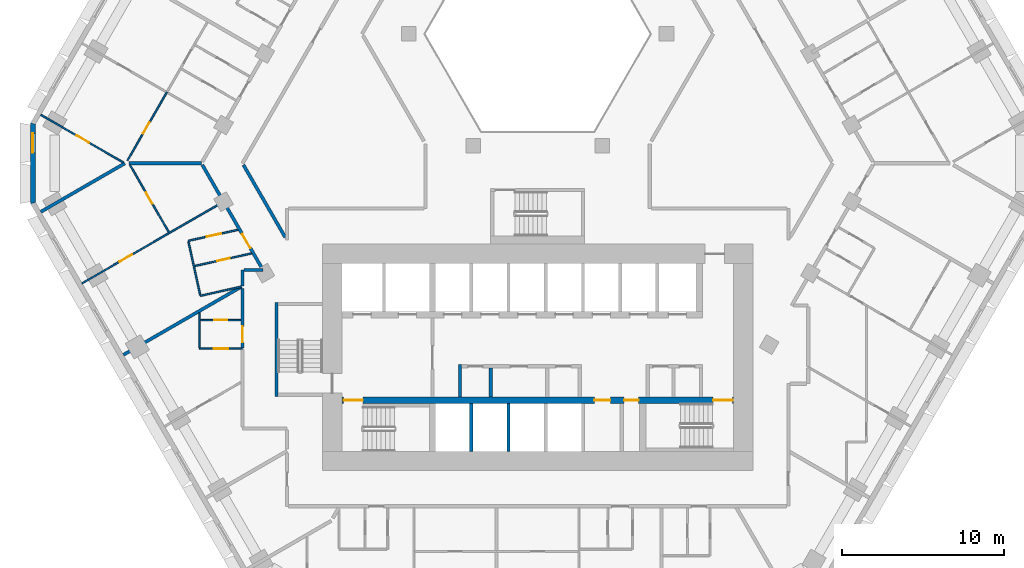
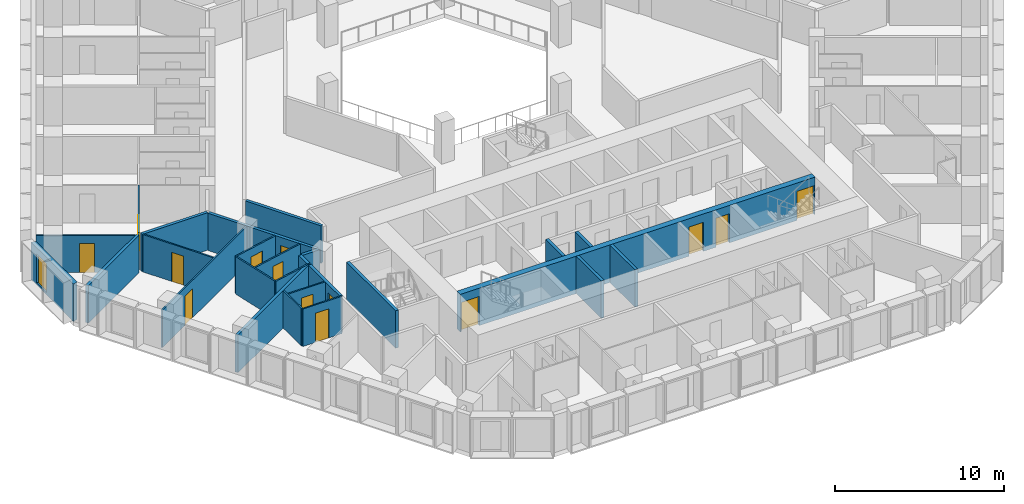
# One storey, part 4 of 16: 26 walls, 14 doors, 1 window, 15 openings.
"""IFC4 building model written with IfcOpenShell, lengths in metres."""

from ifc_helpers import new_model, si_unit, direction, frame, frame_2d, origin, place, context, subcontext, project, spatial, polyline, rectangle, outline, extrude, material, layer, layer_set, type_object, element, fill, save


model = new_model("IFC4")

# Units and contexts
model_context = context("Model", 3, precision=1e-05, world=origin(), true_north=direction((0.0, 1.0)))
body_context = subcontext(model_context, "Body", "Model", "MODEL_VIEW")
ifc_project = project(units=[si_unit("LENGTHUNIT", "METRE"), si_unit("AREAUNIT", "SQUARE_METRE"), si_unit("VOLUMEUNIT", "CUBIC_METRE"), si_unit("PLANEANGLEUNIT", "RADIAN"), si_unit("MASSUNIT", "GRAM", prefix="KILO")], contexts=[model_context])

# Site, building, storey
site_placement = place(None, origin())
site = spatial("IfcSite", under=ifc_project, at=site_placement, CompositionType="ELEMENT")
building_placement = place(site_placement, origin())
building = spatial("IfcBuilding", under=site, at=building_placement, Name="Beryl Residences", CompositionType="ELEMENT")
storey_placement = place(building_placement, frame((0.0, 0.0, 56.39990234375)))
storey = spatial("IfcBuildingStorey", under=building, at=storey_placement, Name="L17", CompositionType="ELEMENT", Elevation=56.39990234375)

# Wall, opening, window
ifc_material_1 = material(Name="Composite metal panel with mineral wool insulation")
ifc_layer_1 = layer(ifc_material_1, 0.300048828125)
ifc_layer_set_1 = layer_set([ifc_layer_1], Name="ES1 pale metal composite panel wall 300 mm")
wall_type_1 = type_object("IfcWallType", Name="ES1 pale metal composite panel wall 300 mm", PredefinedType="SOLIDWALL", material=ifc_layer_set_1)
wall_1_placement = place(storey_placement, frame((-31.199951171875, 2.5, 0.0), z_axis=(0.0, 0.0, 1.0), x_axis=(0.0, -1.0, 0.0)))
wall_1 = element("IfcWall", 1, at=wall_1_placement, inside=storey, type_object=wall_type_1, Name="ES1 external wall L17 NW-SW", PredefinedType="SOLIDWALL", context=body_context, shape_type="SweptSolid", body=[
    extrude(outline(polyline([(0.0, -0.14990234375), (5.0, -0.14990234375), (4.919677734375, 0.14990234375), (0.080322265625, 0.14990234375), (0.0, -0.14990234375)])), origin(), (0.0, 0.0, 1.0), 2.7001953125),
])
opening_1_placement = place(wall_1_placement, frame((0.64990234375, 0.0, 0.14990234375)))
opening_1 = element("IfcOpeningElement", 2, at=opening_1_placement, cuts=wall_1, Name="Opening W2", PredefinedType="OPENING", context=body_context, shape_type="SweptSolid", body=[
    extrude(rectangle(XDim=1.199951171875, YDim=2.10009765625, at=frame_2d((0.60009765625, 1.050048828125))), frame((0.0, 0.159912109375, 0.0), z_axis=(0.0, -1.0, 0.0), x_axis=(1.0, 0.0, 0.0)), (0.0, 0.0, 1.0), 0.320068359375),
])
ifc_material_2 = material(Name="Aluminium and clear glass", Category="aluminium")
window_type = type_object("IfcWindowType", Name="W2 chamfer window 1200 x 2100 mm", PartitioningType="SINGLE_PANEL", PredefinedType="WINDOW", material=ifc_material_2)
window_placement = place(opening_1_placement, origin())
window = element("IfcWindow", 3, at=window_placement, inside=storey, type_object=window_type, Name="W2 window L17 NW-SW 1", OverallHeight=2.10009765625, OverallWidth=1.199951171875, PartitioningType="SINGLE_PANEL", PredefinedType="WINDOW", context=body_context, shape_type="SweptSolid", body=[
    extrude(rectangle(XDim=1.199951171875, YDim=2.10009765625, at=frame_2d((0.60009765625, 1.050048828125))), frame((0.0, 0.030029296875, 0.0), z_axis=(0.0, -1.0, 0.0), x_axis=(1.0, 0.0, 0.0)), (0.0, 0.0, 1.0), 0.06005859375),
])
fill(opening_1, window)

# Wall, opening, door
ifc_material_3 = material(Name="Gypsum board partition on steel studs", Category="steel")
ifc_layer_2 = layer(ifc_material_3, 0.10009765625)
ifc_layer_set_2 = layer_set([ifc_layer_2], Name="PT1 partition 100 mm gypsum board on steel studs")
wall_type_2 = type_object("IfcWallType", Name="PT1 partition 100 mm gypsum board on steel studs", PredefinedType="PARTITIONING", material=ifc_layer_set_2)
wall_2_placement = place(storey_placement, frame((-25.199951171875, -0.10107421875, 0.0), z_axis=(0.0, 0.0, 1.0), x_axis=(0.500099052605, -0.865968208183, 0.0)))
wall_2 = element("IfcWall", 4, at=wall_2_placement, inside=storey, type_object=wall_type_2, Name="Wall PT1 L17 001", PredefinedType="PARTITIONING", context=body_context, shape_type="SweptSolid", body=[
    extrude(rectangle(XDim=4.80712890625, YDim=0.10009765625, at=frame_2d((2.403564453125, 0.0))), origin(), (0.0, 0.0, 1.0), 2.7001953125),
])
opening_2_placement = place(wall_2_placement, frame((1.970947265625, 0.0, 0.0)))
opening_2 = element("IfcOpeningElement", 5, at=opening_2_placement, cuts=wall_2, Name="Opening D0515", PredefinedType="OPENING", context=body_context, shape_type="SweptSolid", body=[
    extrude(rectangle(XDim=0.800048828125, YDim=2.10009765625, at=frame_2d((0.39990234375, 1.050048828125))), frame((0.0, 0.06005859375, 0.0), z_axis=(0.0, -1.0, 0.0), x_axis=(1.0, 0.0, 0.0)), (0.0, 0.0, 1.0), 0.1201171875),
])
ifc_material_4 = material(Name="Timber door leaf", Category="wood")
door_type_1 = type_object("IfcDoorType", Name="D3 bathroom door 800 x 2100 mm", OperationType="SINGLE_SWING_LEFT", PredefinedType="DOOR", material=ifc_material_4)
door_1_placement = place(opening_2_placement, origin())
door_1 = element("IfcDoor", 6, at=door_1_placement, inside=storey, type_object=door_type_1, Name="Door D0515 L17 001", OperationType="SINGLE_SWING_LEFT", OverallHeight=2.10009765625, OverallWidth=0.800048828125, PredefinedType="DOOR", context=body_context, shape_type="SweptSolid", body=[
    extrude(rectangle(XDim=0.800048828125, YDim=2.10009765625, at=frame_2d((0.39990234375, 1.050048828125))), frame((0.0, 0.02490234375, 0.0), z_axis=(0.0, -1.0, 0.0), x_axis=(1.0, 0.0, 0.0)), (0.0, 0.0, 1.0), 0.050048828125),
])
fill(opening_2, door_1)

# Walls
wall_3_placement = place(storey_placement, frame((-21.590087890625, -4.842041015625, 0.0), z_axis=(0.0, 0.0, 1.0), x_axis=(0.216524734289, -0.976277132499, 0.0)))
element("IfcWall", 7, at=wall_3_placement, inside=storey, type_object=wall_type_2, Name="Wall PT1 L17 004", PredefinedType="PARTITIONING", context=body_context, shape_type="SweptSolid", body=[
    extrude(rectangle(XDim=3.376953125, YDim=0.10009765625, at=frame_2d((1.6884765625, 0.0))), origin(), (0.0, 0.0, 1.0), 2.7001953125),
])
wall_4_placement = place(storey_placement, frame((-20.909912109375, -9.242919921875, 0.0), z_axis=(0.0, 0.0, 1.0), x_axis=(0.0, -1.0, 0.0)))
element("IfcWall", 8, at=wall_4_placement, inside=storey, type_object=wall_type_2, Name="Wall PT1 L17 009", PredefinedType="PARTITIONING", context=body_context, shape_type="SweptSolid", body=[
    extrude(rectangle(XDim=2.1630859375, YDim=0.10009765625, at=frame_2d((1.08154296875, 0.0))), origin(), (0.0, 0.0, 1.0), 2.7001953125),
])

# Wall, opening, door
wall_5_placement = place(storey_placement, frame((-30.716064453125, 2.9990234375, 0.0), z_axis=(0.0, 0.0, 1.0), x_axis=(0.866025981722, -0.499998998981, 0.0)))
wall_5 = element("IfcWall", 9, at=wall_5_placement, inside=storey, type_object=wall_type_2, Name="Wall PT1 L17 015", PredefinedType="PARTITIONING", context=body_context, shape_type="SweptSolid", body=[
    extrude(rectangle(XDim=5.88427734375, YDim=0.10009765625, at=frame_2d((2.942138671875, 0.0))), origin(), (0.0, 0.0, 1.0), 2.7001953125),
])
opening_3_placement = place(wall_5_placement, frame((2.550048828125, 0.0, 0.0)))
opening_3 = element("IfcOpeningElement", 10, at=opening_3_placement, cuts=wall_5, Name="Opening D0509", PredefinedType="OPENING", context=body_context, shape_type="SweptSolid", body=[
    extrude(rectangle(XDim=0.89990234375, YDim=2.10009765625, at=frame_2d((0.449951171875, 1.050048828125))), frame((0.0, 0.06005859375, 0.0), z_axis=(0.0, -1.0, 0.0), x_axis=(1.0, 0.0, 0.0)), (0.0, 0.0, 1.0), 0.1201171875),
])
ifc_material_5 = material(Name="Timber door leaf", Category="wood")
door_type_2 = type_object("IfcDoorType", Name="D2 room door 900 x 2100 mm", OperationType="SINGLE_SWING_LEFT", PredefinedType="DOOR", material=ifc_material_5)
door_2_placement = place(opening_3_placement, origin())
door_2 = element("IfcDoor", 11, at=door_2_placement, inside=storey, type_object=door_type_2, Name="Door D0509 L17 001", OperationType="SINGLE_SWING_LEFT", OverallHeight=2.10009765625, OverallWidth=0.89990234375, PredefinedType="DOOR", context=body_context, shape_type="SweptSolid", body=[
    extrude(rectangle(XDim=0.89990234375, YDim=2.10009765625, at=frame_2d((0.449951171875, 1.050048828125))), frame((0.0, 0.02490234375, 0.0), z_axis=(0.0, -1.0, 0.0), x_axis=(1.0, 0.0, 0.0)), (0.0, 0.0, 1.0), 0.050048828125),
])
fill(opening_3, door_2)

wall_6_placement = place(storey_placement, frame((-20.860107421875, -9.68896484375, 0.0), z_axis=(0.0, 0.0, 1.0), x_axis=(1.0, 0.0, 0.0)))
wall_6 = element("IfcWall", 12, at=wall_6_placement, inside=storey, type_object=wall_type_2, Name="Wall PT1 L17 025", PredefinedType="PARTITIONING", context=body_context, shape_type="SweptSolid", body=[
    extrude(rectangle(XDim=2.510009765625, YDim=0.10009765625, at=frame_2d((1.2548828125, 0.0))), origin(), (0.0, 0.0, 1.0), 2.7001953125),
])
opening_4_placement = place(wall_6_placement, frame((0.8798828125, 0.0, 0.0)))
opening_4 = element("IfcOpeningElement", 13, at=opening_4_placement, cuts=wall_6, Name="Opening D0518", PredefinedType="OPENING", context=body_context, shape_type="SweptSolid", body=[
    extrude(rectangle(XDim=0.800048828125, YDim=2.10009765625, at=frame_2d((0.39990234375, 1.050048828125))), frame((0.0, 0.06005859375, 0.0), z_axis=(0.0, -1.0, 0.0), x_axis=(1.0, 0.0, 0.0)), (0.0, 0.0, 1.0), 0.1201171875),
])
door_3_placement = place(opening_4_placement, origin())
door_3 = element("IfcDoor", 14, at=door_3_placement, inside=storey, type_object=door_type_1, Name="Door D0518 L17 001", OperationType="SINGLE_SWING_RIGHT", OverallHeight=2.10009765625, OverallWidth=0.800048828125, PredefinedType="DOOR", context=body_context, shape_type="SweptSolid", body=[
    extrude(rectangle(XDim=0.800048828125, YDim=2.10009765625, at=frame_2d((0.39990234375, 1.050048828125))), frame((0.0, 0.02490234375, 0.0), z_axis=(0.0, -1.0, 0.0), x_axis=(1.0, 0.0, 0.0)), (0.0, 0.0, 1.0), 0.050048828125),
])
fill(opening_4, door_3)

wall_7_placement = place(storey_placement, frame((-20.908935546875, -11.45703125, 0.0), z_axis=(0.0, 0.0, 1.0), x_axis=(1.0, 0.0, 0.0)))
wall_7 = element("IfcWall", 15, at=wall_7_placement, inside=storey, type_object=wall_type_2, Name="Wall PT1 L17 026", PredefinedType="PARTITIONING", context=body_context, shape_type="SweptSolid", body=[
    extrude(rectangle(XDim=2.658935546875, YDim=0.10009765625, at=frame_2d((1.32958984375, 0.0))), origin(), (0.0, 0.0, 1.0), 2.7001953125),
])
opening_5_placement = place(wall_7_placement, frame((0.87890625, 0.0, 0.0)))
opening_5 = element("IfcOpeningElement", 16, at=opening_5_placement, cuts=wall_7, Name="Opening D0517", PredefinedType="OPENING", context=body_context, shape_type="SweptSolid", body=[
    extrude(rectangle(XDim=0.89990234375, YDim=2.10009765625, at=frame_2d((0.449951171875, 1.050048828125))), frame((0.0, 0.06005859375, 0.0), z_axis=(0.0, -1.0, 0.0), x_axis=(1.0, 0.0, 0.0)), (0.0, 0.0, 1.0), 0.1201171875),
])
door_4_placement = place(opening_5_placement, origin())
door_4 = element("IfcDoor", 17, at=door_4_placement, inside=storey, type_object=door_type_2, Name="Door D0517 L17 001", OperationType="SINGLE_SWING_LEFT", OverallHeight=2.10009765625, OverallWidth=0.89990234375, PredefinedType="DOOR", context=body_context, shape_type="SweptSolid", body=[
    extrude(rectangle(XDim=0.89990234375, YDim=2.10009765625, at=frame_2d((0.449951171875, 1.050048828125))), frame((0.0, 0.02490234375, 0.0), z_axis=(0.0, -1.0, 0.0), x_axis=(1.0, 0.0, 0.0)), (0.0, 0.0, 1.0), 0.050048828125),
])
fill(opening_5, door_4)

wall_8_placement = place(storey_placement, frame((-25.35791015625, 0.173095703125, 0.0), z_axis=(0.0, 0.0, 1.0), x_axis=(0.500180754623, 0.8659210199, 0.0)))
wall_8 = element("IfcWall", 18, at=wall_8_placement, inside=storey, type_object=wall_type_2, Name="Wall PT1 L17 039", PredefinedType="PARTITIONING", context=body_context, shape_type="SweptSolid", body=[
    extrude(rectangle(XDim=4.872314453125, YDim=0.10009765625, at=frame_2d((2.43603515625, 0.0))), origin(), (0.0, 0.0, 1.0), 2.7001953125),
])
opening_6_placement = place(wall_8_placement, frame((1.93603515625, 0.0, 0.0)))
opening_6 = element("IfcOpeningElement", 19, at=opening_6_placement, cuts=wall_8, Name="Opening D0510", PredefinedType="OPENING", context=body_context, shape_type="SweptSolid", body=[
    extrude(rectangle(XDim=0.800048828125, YDim=2.10009765625, at=frame_2d((0.39990234375, 1.050048828125))), frame((0.0, 0.06005859375, 0.0), z_axis=(0.0, -1.0, 0.0), x_axis=(1.0, 0.0, 0.0)), (0.0, 0.0, 1.0), 0.1201171875),
])
door_5_placement = place(opening_6_placement, origin())
door_5 = element("IfcDoor", 20, at=door_5_placement, inside=storey, type_object=door_type_1, Name="Door D0510 L17 001", OperationType="SINGLE_SWING_RIGHT", OverallHeight=2.10009765625, OverallWidth=0.800048828125, PredefinedType="DOOR", context=body_context, shape_type="SweptSolid", body=[
    extrude(rectangle(XDim=0.800048828125, YDim=2.10009765625, at=frame_2d((0.39990234375, 1.050048828125))), frame((0.0, 0.02490234375, 0.0), z_axis=(0.0, -1.0, 0.0), x_axis=(1.0, 0.0, 0.0)), (0.0, 0.0, 1.0), 0.050048828125),
])
fill(opening_6, door_5)

# Wall
wall_9_placement = place(storey_placement, frame((-20.847900390625, -8.18896484375, 0.0), z_axis=(0.0, 0.0, 1.0), x_axis=(0.976266547712, 0.216572453971, 0.0)))
element("IfcWall", 21, at=wall_9_placement, inside=storey, type_object=wall_type_2, Name="Wall PT1 L17 057", PredefinedType="PARTITIONING", context=body_context, shape_type="SweptSolid", body=[
    extrude(rectangle(XDim=2.599609375, YDim=0.10009765625, at=frame_2d((1.2998046875, 0.0))), origin(), (0.0, 0.0, 1.0), 2.7001953125),
])

# Wall, opening, door
wall_10_placement = place(storey_placement, frame((-21.205078125, -6.34912109375, 0.0), z_axis=(0.0, 0.0, 1.0), x_axis=(0.976315944397, 0.216349663084, 0.0)))
wall_10 = element("IfcWall", 22, at=wall_10_placement, inside=storey, type_object=wall_type_2, Name="Wall PT1 L17 058", PredefinedType="PARTITIONING", context=body_context, shape_type="SweptSolid", body=[
    extrude(rectangle(XDim=3.60546875, YDim=0.10009765625, at=frame_2d((1.802734375, 0.0))), origin(), (0.0, 0.0, 1.0), 2.7001953125),
])
opening_7_placement = place(wall_10_placement, frame((1.429931640625, 0.0, 0.0)))
opening_7 = element("IfcOpeningElement", 23, at=opening_7_placement, cuts=wall_10, Name="Opening D0512", PredefinedType="OPENING", context=body_context, shape_type="SweptSolid", body=[
    extrude(rectangle(XDim=0.800048828125, YDim=2.10009765625, at=frame_2d((0.39990234375, 1.050048828125))), frame((0.0, 0.06005859375, 0.0), z_axis=(0.0, -1.0, 0.0), x_axis=(1.0, 0.0, 0.0)), (0.0, 0.0, 1.0), 0.1201171875),
])
door_6_placement = place(opening_7_placement, origin())
door_6 = element("IfcDoor", 24, at=door_6_placement, inside=storey, type_object=door_type_1, Name="Door D0512 L17 001", OperationType="SINGLE_SWING_RIGHT", OverallHeight=2.10009765625, OverallWidth=0.800048828125, PredefinedType="DOOR", context=body_context, shape_type="SweptSolid", body=[
    extrude(rectangle(XDim=0.800048828125, YDim=2.10009765625, at=frame_2d((0.39990234375, 1.050048828125))), frame((0.0, 0.02490234375, 0.0), z_axis=(0.0, -1.0, 0.0), x_axis=(1.0, 0.0, 0.0)), (0.0, 0.0, 1.0), 0.050048828125),
])
fill(opening_7, door_6)

wall_11_placement = place(storey_placement, frame((-21.60009765625, -4.7919921875, 0.0), z_axis=(0.0, 0.0, 1.0), x_axis=(0.976320106661, 0.216330879278, 0.0)))
wall_11 = element("IfcWall", 25, at=wall_11_placement, inside=storey, type_object=wall_type_2, Name="Wall PT1 L17 059", PredefinedType="PARTITIONING", context=body_context, shape_type="SweptSolid", body=[
    extrude(rectangle(XDim=3.1474609375, YDim=0.10009765625, at=frame_2d((1.57373046875, 0.0))), origin(), (0.0, 0.0, 1.0), 2.7001953125),
])
opening_8_placement = place(wall_11_placement, frame((1.176025390625, 0.0, 0.0)))
opening_8 = element("IfcOpeningElement", 26, at=opening_8_placement, cuts=wall_11, Name="Opening D0513", PredefinedType="OPENING", context=body_context, shape_type="SweptSolid", body=[
    extrude(rectangle(XDim=0.89990234375, YDim=2.10009765625, at=frame_2d((0.449951171875, 1.050048828125))), frame((0.0, 0.06005859375, 0.0), z_axis=(0.0, -1.0, 0.0), x_axis=(1.0, 0.0, 0.0)), (0.0, 0.0, 1.0), 0.1201171875),
])
door_7_placement = place(opening_8_placement, origin())
door_7 = element("IfcDoor", 27, at=door_7_placement, inside=storey, type_object=door_type_2, Name="Door D0513 L17 001", OperationType="SINGLE_SWING_LEFT", OverallHeight=2.10009765625, OverallWidth=0.89990234375, PredefinedType="DOOR", context=body_context, shape_type="SweptSolid", body=[
    extrude(rectangle(XDim=0.89990234375, YDim=2.10009765625, at=frame_2d((0.449951171875, 1.050048828125))), frame((0.0, 0.02490234375, 0.0), z_axis=(0.0, -1.0, 0.0), x_axis=(1.0, 0.0, 0.0)), (0.0, 0.0, 1.0), 0.050048828125),
])
fill(opening_8, door_7)

wall_12_placement = place(storey_placement, frame((-28.1630859375, -7.419921875, 0.0), z_axis=(0.0, 0.0, 1.0), x_axis=(0.866065245018, 0.499930986609, 0.0)))
wall_12 = element("IfcWall", 28, at=wall_12_placement, inside=storey, type_object=wall_type_2, Name="Wall PT1 L17 063", PredefinedType="PARTITIONING", context=body_context, shape_type="SweptSolid", body=[
    extrude(rectangle(XDim=9.99951171875, YDim=0.10009765625, at=frame_2d((4.999755859375, 0.0))), origin(), (0.0, 0.0, 1.0), 2.7001953125),
])
opening_9_placement = place(wall_12_placement, frame((2.6630859375, 0.0, 0.0)))
opening_9 = element("IfcOpeningElement", 29, at=opening_9_placement, cuts=wall_12, Name="Opening D0514", PredefinedType="OPENING", context=body_context, shape_type="SweptSolid", body=[
    extrude(rectangle(XDim=0.89990234375, YDim=2.10009765625, at=frame_2d((0.449951171875, 1.050048828125))), frame((0.0, 0.06005859375, 0.0), z_axis=(0.0, -1.0, 0.0), x_axis=(1.0, 0.0, 0.0)), (0.0, 0.0, 1.0), 0.1201171875),
])
door_8_placement = place(opening_9_placement, origin())
door_8 = element("IfcDoor", 30, at=door_8_placement, inside=storey, type_object=door_type_2, Name="Door D0514 L17 001", OperationType="SINGLE_SWING_RIGHT", OverallHeight=2.10009765625, OverallWidth=0.89990234375, PredefinedType="DOOR", context=body_context, shape_type="SweptSolid", body=[
    extrude(rectangle(XDim=0.89990234375, YDim=2.10009765625, at=frame_2d((0.449951171875, 1.050048828125))), frame((0.0, 0.02490234375, 0.0), z_axis=(0.0, -1.0, 0.0), x_axis=(1.0, 0.0, 0.0)), (0.0, 0.0, 1.0), 0.050048828125),
])
fill(opening_9, door_8)

# Walls
ifc_material_6 = material(Name="Concrete masonry", Category="masonry")
ifc_layer_3 = layer(ifc_material_6, 0.199951171875)
ifc_layer_set_3 = layer_set([ifc_layer_3], Name="PT13 lobby wall 200 mm")
wall_type_3 = type_object("IfcWallType", Name="PT13 lobby wall 200 mm", PredefinedType="PARTITIONING", material=ifc_layer_set_3)
wall_13_placement = place(storey_placement, frame((-4.800048828125, -14.449951171875, 0.0), z_axis=(0.0, 0.0, 1.0), x_axis=(0.0, 1.0, 0.0)))
element("IfcWall", 31, at=wall_13_placement, inside=storey, type_object=wall_type_3, Name="Lobby wall 07", PredefinedType="PARTITIONING", context=body_context, shape_type="SweptSolid", body=[
    extrude(rectangle(XDim=2.0, YDim=0.199951171875, at=frame_2d((1.0, 0.0))), origin(), (0.0, 0.0, 1.0), 2.7001953125),
])
ifc_material_7 = material(Name="Acoustic double stud gypsum board wall")
ifc_layer_4 = layer(ifc_material_7, 0.199951171875)
ifc_layer_set_4 = layer_set([ifc_layer_4], Name="PT3 party wall 200 mm acoustic double stud")
wall_type_4 = type_object("IfcWallType", Name="PT3 party wall 200 mm acoustic double stud", PredefinedType="PARTITIONING", material=ifc_layer_set_4)
wall_14_placement = place(storey_placement, frame((-25.277099609375, -0.0009765625, 0.0), z_axis=(0.0, 0.0, 1.0), x_axis=(1.0, 0.0, 0.0)))
element("IfcWall", 32, at=wall_14_placement, inside=storey, type_object=wall_type_4, Name="Wall PT3 L17 009", PredefinedType="PARTITIONING", context=body_context, shape_type="SweptSolid", body=[
    extrude(rectangle(XDim=4.4931640625, YDim=0.199951171875, at=frame_2d((2.24658203125, 0.0))), origin(), (0.0, 0.0, 1.0), 2.7001953125),
])
wall_15_placement = place(storey_placement, frame((-30.715087890625, -3.0, 0.0), z_axis=(0.0, 0.0, 1.0), x_axis=(0.86609140076, 0.499885672459, 0.0)))
element("IfcWall", 33, at=wall_15_placement, inside=storey, type_object=wall_type_4, Name="Wall PT3 L17 021", PredefinedType="PARTITIONING", context=body_context, shape_type="SweptSolid", body=[
    extrude(rectangle(XDim=5.99951171875, YDim=0.199951171875, at=frame_2d((2.999755859375, 0.0))), origin(), (0.0, 0.0, 1.0), 2.7001953125),
])
wall_16_placement = place(storey_placement, frame((-25.610107421875, -11.841064453125, 0.0), z_axis=(0.0, 0.0, 1.0), x_axis=(0.866004715254, 0.500035831874, 0.0)))
element("IfcWall", 34, at=wall_16_placement, inside=storey, type_object=wall_type_4, Name="Wall PT3 L17 022", PredefinedType="PARTITIONING", context=body_context, shape_type="SweptSolid", body=[
    extrude(rectangle(XDim=8.4296875, YDim=0.199951171875, at=frame_2d((4.21484375, 0.0))), origin(), (0.0, 0.0, 1.0), 2.7001953125),
])
ifc_material_8 = material(Name="Double stud gypsum board wall")
ifc_layer_5 = layer(ifc_material_8, 0.199951171875)
ifc_layer_set_5 = layer_set([ifc_layer_5], Name="PT4 corridor wall 200 mm double stud")
wall_type_5 = type_object("IfcWallType", Name="PT4 corridor wall 200 mm double stud", PredefinedType="PARTITIONING", material=ifc_layer_set_5)
wall_17_placement = place(storey_placement, frame((-18.18603515625, -0.10107421875, 0.0), z_axis=(0.0, 0.0, 1.0), x_axis=(0.499997591167, -0.86602679452, 0.0)))
element("IfcWall", 35, at=wall_17_placement, inside=storey, type_object=wall_type_5, Name="Wall PT4 L17 002", PredefinedType="PARTITIONING", context=body_context, shape_type="SweptSolid", body=[
    extrude(rectangle(XDim=5.171875, YDim=0.199951171875, at=frame_2d((2.5859375, 0.0))), origin(), (0.0, 0.0, 1.0), 2.7001953125),
])

# Wall, opening, door
wall_18_placement = place(storey_placement, frame((-20.72705078125, -0.10107421875, 0.0), z_axis=(0.0, 0.0, 1.0), x_axis=(0.500065652488, -0.865987495984, 0.0)))
wall_18 = element("IfcWall", 36, at=wall_18_placement, inside=storey, type_object=wall_type_5, Name="Wall PT4 L17 003", PredefinedType="PARTITIONING", context=body_context, shape_type="SweptSolid", body=[
    extrude(rectangle(XDim=7.38916015625, YDim=0.199951171875, at=frame_2d((3.694580078125, 0.0))), origin(), (0.0, 0.0, 1.0), 2.7001953125),
])
opening_10_placement = place(wall_18_placement, frame((4.93701171875, 0.0, 0.0)))
opening_10 = element("IfcOpeningElement", 37, at=opening_10_placement, cuts=wall_18, Name="Opening D0511", PredefinedType="OPENING", context=body_context, shape_type="SweptSolid", body=[
    extrude(rectangle(XDim=1.0, YDim=2.10009765625, at=frame_2d((0.5, 1.050048828125))), frame((0.0, 0.10986328125, 0.0), z_axis=(0.0, -1.0, 0.0), x_axis=(1.0, 0.0, 0.0)), (0.0, 0.0, 1.0), 0.219970703125),
])
ifc_material_9 = material(Name="Timber door leaf", Category="wood")
door_type_3 = type_object("IfcDoorType", Name="D1 flat entrance door 1000 x 2100 mm", OperationType="SINGLE_SWING_LEFT", PredefinedType="DOOR", material=ifc_material_9)
door_9_placement = place(opening_10_placement, origin())
door_9 = element("IfcDoor", 38, at=door_9_placement, inside=storey, type_object=door_type_3, Name="Door D0511 L17 001", OperationType="SINGLE_SWING_LEFT", OverallHeight=2.10009765625, OverallWidth=1.0, PredefinedType="DOOR", context=body_context, shape_type="SweptSolid", body=[
    extrude(rectangle(XDim=1.0, YDim=2.10009765625, at=frame_2d((0.5, 1.050048828125))), frame((0.0, 0.02490234375, 0.0), z_axis=(0.0, -1.0, 0.0), x_axis=(1.0, 0.0, 0.0)), (0.0, 0.0, 1.0), 0.050048828125),
])
fill(opening_10, door_9)

# Wall
wall_19_placement = place(storey_placement, frame((-18.14990234375, -6.60009765625, 0.0), z_axis=(0.0, 0.0, 1.0), x_axis=(1.0, 0.0, 0.0)))
element("IfcWall", 39, at=wall_19_placement, inside=storey, type_object=wall_type_5, Name="Wall PT4 L17 010", PredefinedType="PARTITIONING", context=body_context, shape_type="SweptSolid", body=[
    extrude(rectangle(XDim=1.17578125, YDim=0.199951171875, at=frame_2d((0.587890625, 0.0))), origin(), (0.0, 0.0, 1.0), 2.7001953125),
])

# Wall, opening, door
wall_20_placement = place(storey_placement, frame((-18.25, -11.406982421875, 0.0), z_axis=(0.0, 0.0, 1.0), x_axis=(0.0, 1.0, 0.0)))
wall_20 = element("IfcWall", 40, at=wall_20_placement, inside=storey, type_object=wall_type_5, Name="Wall PT4 L17 033", PredefinedType="PARTITIONING", context=body_context, shape_type="SweptSolid", body=[
    extrude(rectangle(XDim=3.6650390625, YDim=0.199951171875, at=frame_2d((1.83251953125, 0.0))), origin(), (0.0, 0.0, 1.0), 2.7001953125),
])
opening_11_placement = place(wall_20_placement, frame((0.333984375, 0.0, 0.0)))
opening_11 = element("IfcOpeningElement", 41, at=opening_11_placement, cuts=wall_20, Name="Opening D0516", PredefinedType="OPENING", context=body_context, shape_type="SweptSolid", body=[
    extrude(rectangle(XDim=1.0, YDim=2.10009765625, at=frame_2d((0.5, 1.050048828125))), frame((0.0, 0.10986328125, 0.0), z_axis=(0.0, -1.0, 0.0), x_axis=(1.0, 0.0, 0.0)), (0.0, 0.0, 1.0), 0.219970703125),
])
door_10_placement = place(opening_11_placement, origin())
door_10 = element("IfcDoor", 42, at=door_10_placement, inside=storey, type_object=door_type_3, Name="Door D0516 L17 001", OperationType="SINGLE_SWING_RIGHT", OverallHeight=2.10009765625, OverallWidth=1.0, PredefinedType="DOOR", context=body_context, shape_type="SweptSolid", body=[
    extrude(rectangle(XDim=1.0, YDim=2.10009765625, at=frame_2d((0.5, 1.050048828125))), frame((0.0, 0.02490234375, 0.0), z_axis=(0.0, -1.0, 0.0), x_axis=(1.0, 0.0, 0.0)), (0.0, 0.0, 1.0), 0.050048828125),
])
fill(opening_11, door_10)

# Walls
wall_21_placement = place(storey_placement, frame((-18.25, -7.592041015625, 0.0), z_axis=(0.0, 0.0, 1.0), x_axis=(0.0, 1.0, 0.0)))
element("IfcWall", 43, at=wall_21_placement, inside=storey, type_object=wall_type_5, Name="Wall PT4 L17 034", PredefinedType="PARTITIONING", context=body_context, shape_type="SweptSolid", body=[
    extrude(rectangle(XDim=0.991943359375, YDim=0.199951171875, at=frame_2d((0.49609375, 0.0))), origin(), (0.0, 0.0, 1.0), 2.7001953125),
])
ifc_material_10 = material(Name="Concrete C40/50", Category="concrete")
ifc_layer_6 = layer(ifc_material_10, 0.199951171875)
ifc_layer_set_6 = layer_set([ifc_layer_6], Name="PT5 stair enclosure wall 200 mm reinforced concrete C40/50")
wall_type_6 = type_object("IfcWallType", Name="PT5 stair enclosure wall 200 mm reinforced concrete C40/50", PredefinedType="SOLIDWALL", material=ifc_layer_set_6)
wall_22_placement = place(storey_placement, frame((-16.14990234375, -14.39990234375, 0.0), z_axis=(0.0, 0.0, 1.0), x_axis=(0.0, 1.0, 0.0)))
element("IfcWall", 44, at=wall_22_placement, inside=storey, type_object=wall_type_6, Name="Stair wall 01", PredefinedType="SOLIDWALL", context=body_context, shape_type="SweptSolid", body=[
    extrude(rectangle(XDim=5.7998046875, YDim=0.199951171875, at=frame_2d((2.89990234375, 0.0))), origin(), (0.0, 0.0, 1.0), 2.7001953125),
])
ifc_material_11 = material(Name="Concrete C40/50", Category="concrete")
ifc_layer_7 = layer(ifc_material_11, 0.199951171875)
ifc_layer_set_7 = layer_set([ifc_layer_7], Name="PT6 lift shaft wall 200 mm reinforced concrete C40/50")
wall_type_7 = type_object("IfcWallType", Name="PT6 lift shaft wall 200 mm reinforced concrete C40/50", PredefinedType="SOLIDWALL", material=ifc_layer_set_7)
for number, where, z_axis, x_axis, name in (
    (45, (-4.10009765625, -17.800048828125, 0.0), (0.0, 0.0, 1.0), (0.0, 1.0, 0.0), "Lift shaft wall 09"),
    (46, (-1.800048828125, -17.800048828125, 0.0), (0.0, 0.0, 1.0), (0.0, 1.0, 0.0), "Lift shaft wall 12"),
):
    element("IfcWall", number, at=place(storey_placement, frame(where, z_axis=z_axis, x_axis=x_axis)), inside=storey, type_object=wall_type_7, Name=name, PredefinedType="SOLIDWALL", context=body_context, shape_type="SweptSolid", body=[
        extrude(rectangle(XDim=2.949951171875, YDim=0.199951171875, at=frame_2d((1.47509765625, 0.0))), origin(), (0.0, 0.0, 1.0), 2.7001953125),
    ])
ifc_material_12 = material(Name="Concrete masonry", Category="masonry")
ifc_layer_8 = layer(ifc_material_12, 0.199951171875)
ifc_layer_set_8 = layer_set([ifc_layer_8], Name="PT8-200 service room wall 200 mm")
wall_type_8 = type_object("IfcWallType", Name="PT8-200 service room wall 200 mm", PredefinedType="PARTITIONING", material=ifc_layer_set_8)
wall_23_placement = place(storey_placement, frame((-2.89990234375, -14.449951171875, 0.0), z_axis=(0.0, 0.0, 1.0), x_axis=(0.0, 1.0, 0.0)))
element("IfcWall", 47, at=wall_23_placement, inside=storey, type_object=wall_type_8, Name="Core room wall 11", PredefinedType="PARTITIONING", context=body_context, shape_type="SweptSolid", body=[
    extrude(rectangle(XDim=1.800048828125, YDim=0.199951171875, at=frame_2d((0.89990234375, 0.0))), origin(), (0.0, 0.0, 1.0), 2.7001953125),
])

# Wall, openings, doors
ifc_material_13 = material(Name="Concrete C80/95", Category="concrete")
ifc_layer_9 = layer(ifc_material_13, 0.39990234375)
ifc_layer_set_9 = layer_set([ifc_layer_9], Name="SW6 core internal wall 400 mm C80/95")
wall_type_9 = type_object("IfcWallType", Name="SW6 core internal wall 400 mm C80/95", PredefinedType="SHEAR", material=ifc_layer_set_9)
wall_24_placement = place(storey_placement, frame((-12.10009765625, -14.64990234375, 0.0), z_axis=(0.0, 0.0, 1.0), x_axis=(1.0, 0.0, 0.0)))
wall_24 = element("IfcWall", 48, at=wall_24_placement, inside=storey, type_object=wall_type_9, Name="Core wall SP1 L17", PredefinedType="SHEAR", context=body_context, shape_type="SweptSolid", body=[
    extrude(rectangle(XDim=24.2001953125, YDim=0.39990234375, at=frame_2d((12.10009765625, 0.0))), origin(), (0.0, 0.0, 1.0), 2.7001953125),
])
opening_12_placement = place(wall_24_placement, frame((1.300048828125, 0.0, 0.0), z_axis=(0.0, 0.0, 1.0), x_axis=(-1.0, 0.0, 0.0)))
opening_12 = element("IfcOpeningElement", 49, at=opening_12_placement, cuts=wall_24, Name="Opening SD-1", PredefinedType="OPENING", context=body_context, shape_type="SweptSolid", body=[
    extrude(rectangle(XDim=1.199951171875, YDim=2.10009765625, at=frame_2d((0.60009765625, 1.050048828125))), frame((0.0, 0.2099609375, 0.0), z_axis=(0.0, -1.0, 0.0), x_axis=(1.0, 0.0, 0.0)), (0.0, 0.0, 1.0), 0.419921875),
])
opening_13_placement = place(wall_24_placement, frame((24.14990234375, 0.0, 0.0), z_axis=(0.0, 0.0, 1.0), x_axis=(-1.0, 0.0, 0.0)))
opening_13 = element("IfcOpeningElement", 50, at=opening_13_placement, cuts=wall_24, Name="Opening SD-3", PredefinedType="OPENING", context=body_context, shape_type="SweptSolid", body=[
    extrude(rectangle(XDim=1.199951171875, YDim=2.10009765625, at=frame_2d((0.60009765625, 1.050048828125))), frame((0.0, 0.2099609375, 0.0), z_axis=(0.0, -1.0, 0.0), x_axis=(1.0, 0.0, 0.0)), (0.0, 0.0, 1.0), 0.419921875),
])
opening_14_placement = place(wall_24_placement, frame((16.60009765625, 0.0, 0.0), z_axis=(0.0, 0.0, 1.0), x_axis=(-1.0, 0.0, 0.0)))
opening_14 = element("IfcOpeningElement", 51, at=opening_14_placement, cuts=wall_24, Name="Opening CD-D-S1", PredefinedType="OPENING", context=body_context, shape_type="SweptSolid", body=[
    extrude(rectangle(XDim=1.0, YDim=2.10009765625, at=frame_2d((0.5, 1.050048828125))), frame((0.0, 0.2099609375, 0.0), z_axis=(0.0, -1.0, 0.0), x_axis=(1.0, 0.0, 0.0)), (0.0, 0.0, 1.0), 0.419921875),
])
opening_15_placement = place(wall_24_placement, frame((18.349853515625, 0.0, 0.0), z_axis=(0.0, 0.0, 1.0), x_axis=(-1.0, 0.0, 0.0)))
opening_15 = element("IfcOpeningElement", 52, at=opening_15_placement, cuts=wall_24, Name="Opening RD-D-S2", PredefinedType="OPENING", context=body_context, shape_type="SweptSolid", body=[
    extrude(rectangle(XDim=0.89990234375, YDim=2.10009765625, at=frame_2d((0.449951171875, 1.050048828125))), frame((0.0, 0.2099609375, 0.0), z_axis=(0.0, -1.0, 0.0), x_axis=(1.0, 0.0, 0.0)), (0.0, 0.0, 1.0), 0.419921875),
])
ifc_material_14 = material(Name="Steel door leaf in steel frame", Category="steel")
door_type_4 = type_object("IfcDoorType", Name="D18 service room door 1000 x 2100 mm", OperationType="SINGLE_SWING_LEFT", PredefinedType="DOOR", material=ifc_material_14)
door_11_placement = place(opening_14_placement, origin())
door_11 = element("IfcDoor", 53, at=door_11_placement, inside=storey, type_object=door_type_4, Name="Door CD-D-S1 L17 001", OperationType="SINGLE_SWING_RIGHT", OverallHeight=2.10009765625, OverallWidth=1.0, PredefinedType="DOOR", context=body_context, shape_type="SweptSolid", body=[
    extrude(rectangle(XDim=1.0, YDim=2.10009765625, at=frame_2d((0.5, 1.050048828125))), frame((0.0, 0.02490234375, 0.0), z_axis=(0.0, -1.0, 0.0), x_axis=(1.0, 0.0, 0.0)), (0.0, 0.0, 1.0), 0.050048828125),
])
fill(opening_14, door_11)
ifc_material_15 = material(Name="Steel door leaf in steel frame", Category="steel")
door_type_5 = type_object("IfcDoorType", Name="D23 riser door 900 x 2100 mm", OperationType="SINGLE_SWING_LEFT", PredefinedType="DOOR", material=ifc_material_15)
door_12_placement = place(opening_15_placement, origin())
door_12 = element("IfcDoor", 54, at=door_12_placement, inside=storey, type_object=door_type_5, Name="Door RD-D-S2 L17 001", OperationType="SINGLE_SWING_LEFT", OverallHeight=2.10009765625, OverallWidth=0.89990234375, PredefinedType="DOOR", context=body_context, shape_type="SweptSolid", body=[
    extrude(rectangle(XDim=0.89990234375, YDim=2.10009765625, at=frame_2d((0.449951171875, 1.050048828125))), frame((0.0, 0.02490234375, 0.0), z_axis=(0.0, -1.0, 0.0), x_axis=(1.0, 0.0, 0.0)), (0.0, 0.0, 1.0), 0.050048828125),
])
fill(opening_15, door_12)
ifc_material_16 = material(Name="Steel door leaf in steel frame", Category="steel")
door_type_6 = type_object("IfcDoorType", Name="D4 stair door 1200 x 2100 mm", OperationType="SINGLE_SWING_LEFT", PredefinedType="DOOR", material=ifc_material_16)
door_13_placement = place(opening_12_placement, origin())
door_13 = element("IfcDoor", 55, at=door_13_placement, inside=storey, type_object=door_type_6, Name="Door SD-1 L17 001", OperationType="SINGLE_SWING_RIGHT", OverallHeight=2.10009765625, OverallWidth=1.199951171875, PredefinedType="DOOR", context=body_context, shape_type="SweptSolid", body=[
    extrude(rectangle(XDim=1.199951171875, YDim=2.10009765625, at=frame_2d((0.60009765625, 1.050048828125))), frame((0.0, 0.02490234375, 0.0), z_axis=(0.0, -1.0, 0.0), x_axis=(1.0, 0.0, 0.0)), (0.0, 0.0, 1.0), 0.050048828125),
])
fill(opening_12, door_13)
door_14_placement = place(opening_13_placement, origin())
door_14 = element("IfcDoor", 56, at=door_14_placement, inside=storey, type_object=door_type_6, Name="Door SD-3 L17 001", OperationType="SINGLE_SWING_RIGHT", OverallHeight=2.10009765625, OverallWidth=1.199951171875, PredefinedType="DOOR", context=body_context, shape_type="SweptSolid", body=[
    extrude(rectangle(XDim=1.199951171875, YDim=2.10009765625, at=frame_2d((0.60009765625, 1.050048828125))), frame((0.0, 0.02490234375, 0.0), z_axis=(0.0, -1.0, 0.0), x_axis=(1.0, 0.0, 0.0)), (0.0, 0.0, 1.0), 0.050048828125),
])
fill(opening_13, door_14)

save(model, "model.ifc")
